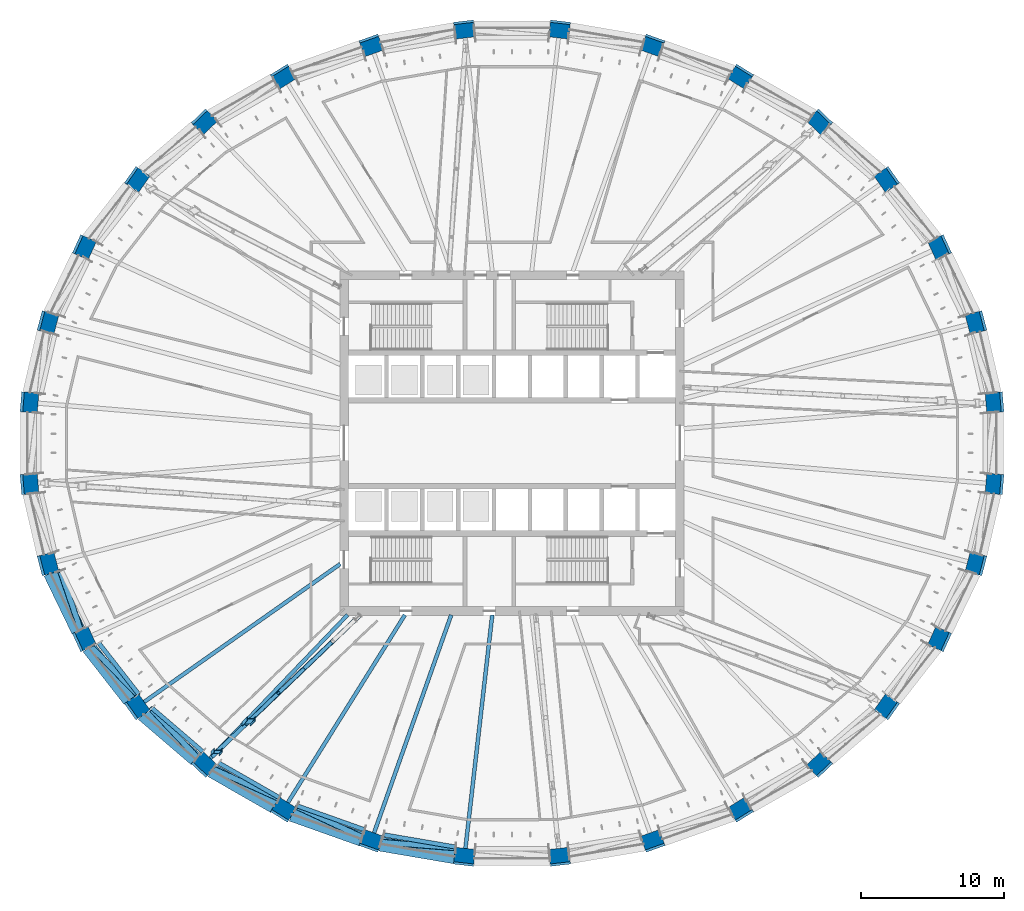
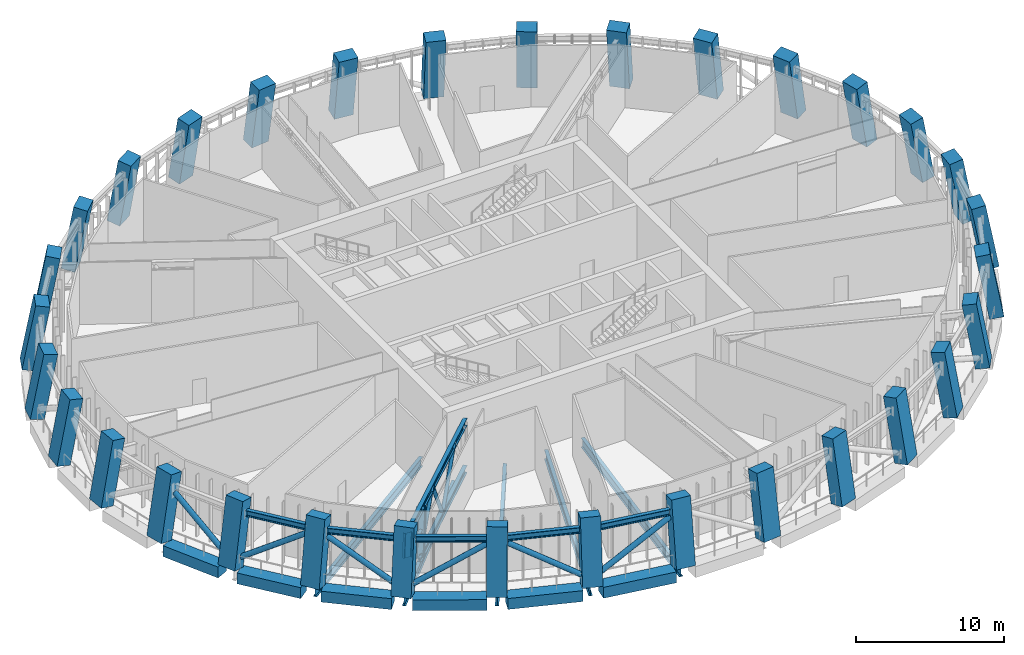
# One storey, part 1 of 21: 32 columns, 19 members, 11 beams.
"""IFC4 building model written with IfcOpenShell, lengths in metres."""

from ifc_helpers import new_model, si_unit, direction, frame, origin, origin_2d, place, context, subcontext, project, spatial, rectangle, hollow_circle, i_section, extrude, material, material_profile, profile_set, type_object, element, save


model = new_model("IFC4")

# Units and contexts
model_context = context("Model", 3, precision=1e-05, world=origin(), true_north=direction((0.0, 1.0)))
body_context = subcontext(model_context, "Body", "Model", "MODEL_VIEW")
ifc_project = project(units=[si_unit("LENGTHUNIT", "METRE"), si_unit("AREAUNIT", "SQUARE_METRE"), si_unit("VOLUMEUNIT", "CUBIC_METRE"), si_unit("PLANEANGLEUNIT", "RADIAN"), si_unit("MASSUNIT", "GRAM", prefix="KILO")], contexts=[model_context])

# Site, building, storey
site_placement = place(None, origin())
site = spatial("IfcSite", under=ifc_project, at=site_placement, CompositionType="ELEMENT")
building_placement = place(site_placement, origin())
building = spatial("IfcBuilding", under=site, at=building_placement, Name="Halqa Exchange Tower", CompositionType="ELEMENT")
storey_placement = place(building_placement, frame((0.0, 0.0, 173.5)))
storey = spatial("IfcBuildingStorey", under=building, at=storey_placement, Name="L39", CompositionType="ELEMENT", Elevation=173.5)

# Columns
ifc_material_1 = material(Name="Concrete C70/85", Category="concrete")
ifc_material_profile_1 = material_profile(ifc_material_1, rectangle(XDim=1.39990234375, YDim=1.0, at=origin_2d()), Name="1400 x 1000")
ifc_profile_set_1 = profile_set([ifc_material_profile_1], Name="Concrete C70/85")
column_type = type_object("IfcColumnType", Name="RC ring column 1400 x 1000 C70/85", PredefinedType="COLUMN", material=ifc_profile_set_1)
for number, where, z_axis, x_axis, name in (
    (1, (33.7412109375, 2.848388671875, 0.090576171875), (-0.181244332226, -0.015272365051, 0.983319503977), (0.083966388579, -0.996468587357, 0.0), "Ring column 1"),
    (2, (32.444580078125, 8.43603515625, 0.08984375), (-0.174343838025, -0.045356998494, 0.983639653954), (0.251777359091, -0.967785183524, 0.0), "Ring column 2"),
):
    element("IfcColumn", number, at=place(storey_placement, frame(where, z_axis=z_axis, x_axis=x_axis)), inside=storey, type_object=column_type, Name=name, PredefinedType="COLUMN", context=body_context, shape_type="SweptSolid", body=[
        extrude(rectangle(XDim=1.39990234375, YDim=1.0, at=origin_2d()), origin(), (0.0, 0.0, 1.0), 5.307373046875),
    ])
for number, where, z_axis, x_axis, name in (
    (3, (29.9013671875, 13.699462890625, 0.088134765625), (-0.160766590911, -0.073644438355, 0.984241128965), (0.416466602522, -0.909151015499, 0.0), "Ring column 3"),
    (4, (26.208984375, 18.4365234375, 0.0859375), (-0.140981154169, -0.099215774729, 0.985028194629), (0.575519842584, -0.817787815262, 0.0), "Ring column 4"),
):
    element("IfcColumn", number, at=place(storey_placement, frame(where, z_axis=z_axis, x_axis=x_axis)), inside=storey, type_object=column_type, Name=name, PredefinedType="COLUMN", context=body_context, shape_type="SweptSolid", body=[
        extrude(rectangle(XDim=1.39990234375, YDim=1.0, at=origin_2d()), origin(), (0.0, 0.0, 1.0), 5.3076171875),
    ])
column_1_placement = place(storey_placement, frame((21.509521484375, 22.465087890625, 0.08349609375), z_axis=(-0.115812481815, -0.12096379157, 0.985877898213), x_axis=(0.722319686129, -0.691559304059, 0.0)))
element("IfcColumn", 5, at=column_1_placement, inside=storey, type_object=column_type, Name="Ring column 5", PredefinedType="COLUMN", context=body_context, shape_type="SweptSolid", body=[
    extrude(rectangle(XDim=1.39990234375, YDim=1.0, at=origin_2d()), origin(), (0.0, 0.0, 1.0), 5.30810546875),
])
column_2_placement = place(storey_placement, frame((15.983154296875, 25.630615234375, 0.0810546875), z_axis=(-0.086138821713, -0.138107251256, 0.98666432516), x_axis=(0.848490015543, -0.529211388316, 0.0)))
element("IfcColumn", 6, at=column_2_placement, inside=storey, type_object=column_type, Name="Ring column 6", PredefinedType="COLUMN", context=body_context, shape_type="SweptSolid", body=[
    extrude(rectangle(XDim=1.39990234375, YDim=1.0, at=origin_2d()), origin(), (0.0, 0.0, 1.0), 5.30859375),
])
column_3_placement = place(storey_placement, frame((9.842529296875, 27.811279296875, 0.0791015625), z_axis=(-0.053064720362, -0.149997502446, 0.987261305184), x_axis=(0.942744642547, -0.333515425352, 0.0)))
element("IfcColumn", 7, at=column_3_placement, inside=storey, type_object=column_type, Name="Ring column 7", PredefinedType="COLUMN", context=body_context, shape_type="SweptSolid", body=[
    extrude(rectangle(XDim=1.39990234375, YDim=1.0, at=origin_2d()), origin(), (0.0, 0.0, 1.0), 5.309326171875),
])
for number, where, z_axis, x_axis, name in (
    (8, (3.323486328125, 28.9228515625, 0.078125), (-0.017932806139, -0.15601541341, 0.98759182117), (0.993458851833, -0.114190672624, 0.0), "Ring column 8"),
    (9, (-3.323486328125, 28.9228515625, 0.078125), (0.017932806139, -0.15601541341, 0.98759182117), (0.993458851833, 0.114190672624, 0.0), "Ring column 9"),
):
    element("IfcColumn", number, at=place(storey_placement, frame(where, z_axis=z_axis, x_axis=x_axis)), inside=storey, type_object=column_type, Name=name, PredefinedType="COLUMN", context=body_context, shape_type="SweptSolid", body=[
        extrude(rectangle(XDim=1.39990234375, YDim=1.0, at=origin_2d()), origin(), (0.0, 0.0, 1.0), 5.3095703125),
    ])
column_4_placement = place(storey_placement, frame((-9.842529296875, 27.811279296875, 0.0791015625), z_axis=(0.053064720362, -0.149997502446, 0.987261305184), x_axis=(0.942744642547, 0.333515425352, 0.0)))
element("IfcColumn", 10, at=column_4_placement, inside=storey, type_object=column_type, Name="Ring column 10", PredefinedType="COLUMN", context=body_context, shape_type="SweptSolid", body=[
    extrude(rectangle(XDim=1.39990234375, YDim=1.0, at=origin_2d()), origin(), (0.0, 0.0, 1.0), 5.309326171875),
])
column_5_placement = place(storey_placement, frame((-15.983154296875, 25.630615234375, 0.0810546875), z_axis=(0.086138821713, -0.138107251256, 0.98666432516), x_axis=(0.848490015543, 0.529211388316, 0.0)))
element("IfcColumn", 11, at=column_5_placement, inside=storey, type_object=column_type, Name="Ring column 11", PredefinedType="COLUMN", context=body_context, shape_type="SweptSolid", body=[
    extrude(rectangle(XDim=1.39990234375, YDim=1.0, at=origin_2d()), origin(), (0.0, 0.0, 1.0), 5.30859375),
])
column_6_placement = place(storey_placement, frame((-21.509521484375, 22.465087890625, 0.08349609375), z_axis=(0.115812481815, -0.12096379157, 0.985877898213), x_axis=(0.722319686129, 0.691559304059, 0.0)))
element("IfcColumn", 12, at=column_6_placement, inside=storey, type_object=column_type, Name="Ring column 12", PredefinedType="COLUMN", context=body_context, shape_type="SweptSolid", body=[
    extrude(rectangle(XDim=1.39990234375, YDim=1.0, at=origin_2d()), origin(), (0.0, 0.0, 1.0), 5.30810546875),
])
for number, where, z_axis, x_axis, name in (
    (13, (-26.208984375, 18.4365234375, 0.0859375), (0.140981154169, -0.099215774729, 0.985028194629), (0.575519842584, 0.817787815262, 0.0), "Ring column 13"),
    (14, (-29.9013671875, 13.699462890625, 0.088134765625), (0.160766590911, -0.073644438355, 0.984241128965), (0.416466602522, 0.909151015499, 0.0), "Ring column 14"),
):
    element("IfcColumn", number, at=place(storey_placement, frame(where, z_axis=z_axis, x_axis=x_axis)), inside=storey, type_object=column_type, Name=name, PredefinedType="COLUMN", context=body_context, shape_type="SweptSolid", body=[
        extrude(rectangle(XDim=1.39990234375, YDim=1.0, at=origin_2d()), origin(), (0.0, 0.0, 1.0), 5.3076171875),
    ])
for number, where, z_axis, x_axis, name in (
    (15, (-32.444580078125, 8.43603515625, 0.08984375), (0.174343838025, -0.045356998494, 0.983639653954), (0.251777359091, 0.967785183524, 0.0), "Ring column 15"),
    (16, (-33.7412109375, 2.848388671875, 0.090576171875), (0.181244332226, -0.015272365051, 0.983319503977), (0.083966388579, 0.996468587357, 0.0), "Ring column 16"),
    (17, (-33.7412109375, -2.848388671875, 0.090576171875), (0.181244332226, 0.015272365051, 0.983319503977), (-0.083966388579, 0.996468587357, 0.0), "Ring column 17"),
    (18, (-32.444580078125, -8.43603515625, 0.08984375), (0.174343838025, 0.045356998494, 0.983639653954), (-0.251777359091, 0.967785183524, 0.0), "Ring column 18"),
):
    element("IfcColumn", number, at=place(storey_placement, frame(where, z_axis=z_axis, x_axis=x_axis)), inside=storey, type_object=column_type, Name=name, PredefinedType="COLUMN", context=body_context, shape_type="SweptSolid", body=[
        extrude(rectangle(XDim=1.39990234375, YDim=1.0, at=origin_2d()), origin(), (0.0, 0.0, 1.0), 5.307373046875),
    ])
for number, where, z_axis, x_axis, name in (
    (19, (-29.9013671875, -13.699462890625, 0.088134765625), (0.160766590911, 0.073644438355, 0.984241128965), (-0.416466602522, 0.909151015499, 0.0), "Ring column 19"),
    (20, (-26.208984375, -18.4365234375, 0.0859375), (0.140981154169, 0.099215774729, 0.985028194629), (-0.575519842584, 0.817787815262, 0.0), "Ring column 20"),
):
    element("IfcColumn", number, at=place(storey_placement, frame(where, z_axis=z_axis, x_axis=x_axis)), inside=storey, type_object=column_type, Name=name, PredefinedType="COLUMN", context=body_context, shape_type="SweptSolid", body=[
        extrude(rectangle(XDim=1.39990234375, YDim=1.0, at=origin_2d()), origin(), (0.0, 0.0, 1.0), 5.3076171875),
    ])
column_7_placement = place(storey_placement, frame((-21.509521484375, -22.465087890625, 0.08349609375), z_axis=(0.115812481815, 0.12096379157, 0.985877898213), x_axis=(-0.722319686129, 0.691559304059, 0.0)))
element("IfcColumn", 21, at=column_7_placement, inside=storey, type_object=column_type, Name="Ring column 21", PredefinedType="COLUMN", context=body_context, shape_type="SweptSolid", body=[
    extrude(rectangle(XDim=1.39990234375, YDim=1.0, at=origin_2d()), origin(), (0.0, 0.0, 1.0), 5.30810546875),
])
column_8_placement = place(storey_placement, frame((-15.983154296875, -25.630615234375, 0.0810546875), z_axis=(0.086138821713, 0.138107251256, 0.98666432516), x_axis=(-0.848490015543, 0.529211388316, 0.0)))
element("IfcColumn", 22, at=column_8_placement, inside=storey, type_object=column_type, Name="Ring column 22", PredefinedType="COLUMN", context=body_context, shape_type="SweptSolid", body=[
    extrude(rectangle(XDim=1.39990234375, YDim=1.0, at=origin_2d()), origin(), (0.0, 0.0, 1.0), 5.30859375),
])
column_9_placement = place(storey_placement, frame((-9.842529296875, -27.811279296875, 0.0791015625), z_axis=(0.053064720362, 0.149997502446, 0.987261305184), x_axis=(-0.942744642547, 0.333515425352, 0.0)))
element("IfcColumn", 23, at=column_9_placement, inside=storey, type_object=column_type, Name="Ring column 23", PredefinedType="COLUMN", context=body_context, shape_type="SweptSolid", body=[
    extrude(rectangle(XDim=1.39990234375, YDim=1.0, at=origin_2d()), origin(), (0.0, 0.0, 1.0), 5.309326171875),
])
for number, where, z_axis, x_axis, name in (
    (24, (-3.323486328125, -28.9228515625, 0.078125), (0.017932806139, 0.15601541341, 0.98759182117), (-0.993458851833, 0.114190672624, 0.0), "Ring column 24"),
    (25, (3.323486328125, -28.9228515625, 0.078125), (-0.017932806139, 0.15601541341, 0.98759182117), (-0.993458851833, -0.114190672624, 0.0), "Ring column 25"),
):
    element("IfcColumn", number, at=place(storey_placement, frame(where, z_axis=z_axis, x_axis=x_axis)), inside=storey, type_object=column_type, Name=name, PredefinedType="COLUMN", context=body_context, shape_type="SweptSolid", body=[
        extrude(rectangle(XDim=1.39990234375, YDim=1.0, at=origin_2d()), origin(), (0.0, 0.0, 1.0), 5.3095703125),
    ])
column_10_placement = place(storey_placement, frame((9.842529296875, -27.811279296875, 0.0791015625), z_axis=(-0.053064720362, 0.149997502446, 0.987261305184), x_axis=(-0.942744642547, -0.333515425352, 0.0)))
element("IfcColumn", 26, at=column_10_placement, inside=storey, type_object=column_type, Name="Ring column 26", PredefinedType="COLUMN", context=body_context, shape_type="SweptSolid", body=[
    extrude(rectangle(XDim=1.39990234375, YDim=1.0, at=origin_2d()), origin(), (0.0, 0.0, 1.0), 5.309326171875),
])
column_11_placement = place(storey_placement, frame((15.983154296875, -25.630615234375, 0.0810546875), z_axis=(-0.086138821713, 0.138107251256, 0.98666432516), x_axis=(-0.848490015543, -0.529211388316, 0.0)))
element("IfcColumn", 27, at=column_11_placement, inside=storey, type_object=column_type, Name="Ring column 27", PredefinedType="COLUMN", context=body_context, shape_type="SweptSolid", body=[
    extrude(rectangle(XDim=1.39990234375, YDim=1.0, at=origin_2d()), origin(), (0.0, 0.0, 1.0), 5.30859375),
])
column_12_placement = place(storey_placement, frame((21.509521484375, -22.465087890625, 0.08349609375), z_axis=(-0.115812481815, 0.12096379157, 0.985877898213), x_axis=(-0.722319686129, -0.691559304059, 0.0)))
element("IfcColumn", 28, at=column_12_placement, inside=storey, type_object=column_type, Name="Ring column 28", PredefinedType="COLUMN", context=body_context, shape_type="SweptSolid", body=[
    extrude(rectangle(XDim=1.39990234375, YDim=1.0, at=origin_2d()), origin(), (0.0, 0.0, 1.0), 5.30810546875),
])
for number, where, z_axis, x_axis, name in (
    (29, (26.208984375, -18.4365234375, 0.0859375), (-0.140981154169, 0.099215774729, 0.985028194629), (-0.575519842584, -0.817787815262, 0.0), "Ring column 29"),
    (30, (29.9013671875, -13.699462890625, 0.088134765625), (-0.160766590911, 0.073644438355, 0.984241128965), (-0.416466602522, -0.909151015499, 0.0), "Ring column 30"),
):
    element("IfcColumn", number, at=place(storey_placement, frame(where, z_axis=z_axis, x_axis=x_axis)), inside=storey, type_object=column_type, Name=name, PredefinedType="COLUMN", context=body_context, shape_type="SweptSolid", body=[
        extrude(rectangle(XDim=1.39990234375, YDim=1.0, at=origin_2d()), origin(), (0.0, 0.0, 1.0), 5.3076171875),
    ])
for number, where, z_axis, x_axis, name in (
    (31, (32.444580078125, -8.43603515625, 0.08984375), (-0.174343838025, 0.045356998494, 0.983639653954), (-0.251777359091, -0.967785183524, 0.0), "Ring column 31"),
    (32, (33.7412109375, -2.848388671875, 0.090576171875), (-0.181244332226, 0.015272365051, 0.983319503977), (-0.083966388579, -0.996468587357, 0.0), "Ring column 32"),
):
    element("IfcColumn", number, at=place(storey_placement, frame(where, z_axis=z_axis, x_axis=x_axis)), inside=storey, type_object=column_type, Name=name, PredefinedType="COLUMN", context=body_context, shape_type="SweptSolid", body=[
        extrude(rectangle(XDim=1.39990234375, YDim=1.0, at=origin_2d()), origin(), (0.0, 0.0, 1.0), 5.307373046875),
    ])

# Members
ifc_material_2 = material(Name="Steel S355", Category="steel")
ifc_material_profile_2 = material_profile(ifc_material_2, i_section(OverallWidth=0.300048828125, OverallDepth=0.5, WebThickness=0.014404296875, FlangeThickness=0.028076171875, FilletRadius=0.027099609375, at=origin_2d()), Name="HEB 500")
ifc_profile_set_2 = profile_set([ifc_material_profile_2], Name="Steel S355")
member_type_1 = type_object("IfcMemberType", Name="Belt truss chord HEB 500", PredefinedType="CHORD", material=ifc_profile_set_2)
member_1_placement = place(storey_placement, frame((-28.806396484375, -13.92041015625, 4.25), z_axis=(0.61479322814, -0.788688333014, 0.0), x_axis=(0.788688333014, 0.61479322814, 0.0)))
element("IfcMember", 33, at=member_1_placement, inside=storey, type_object=member_type_1, Name="Belt chord 19", PredefinedType="CHORD", context=body_context, shape_type="SweptSolid", body=[
    extrude(i_section(OverallWidth=0.300048828125, OverallDepth=0.5, WebThickness=0.014404296875, FlangeThickness=0.028076171875, FilletRadius=0.027099609375, at=origin_2d()), origin(), (0.0, 0.0, 1.0), 4.517822265625),
])
member_2_placement = place(storey_placement, frame((-25.099853515625, -18.45703125, 4.25), z_axis=(0.759249266191, -0.650799932228, 0.0), x_axis=(0.650799932228, 0.759249266191, 0.0)))
element("IfcMember", 34, at=member_2_placement, inside=storey, type_object=member_type_1, Name="Belt chord 20", PredefinedType="CHORD", context=body_context, shape_type="SweptSolid", body=[
    extrude(i_section(OverallWidth=0.300048828125, OverallDepth=0.5, WebThickness=0.014404296875, FlangeThickness=0.028076171875, FilletRadius=0.027099609375, at=origin_2d()), origin(), (0.0, 0.0, 1.0), 4.6982421875),
])
member_3_placement = place(storey_placement, frame((-20.4345703125, -22.289306640625, 4.25), z_axis=(0.867761979949, -0.496980025912, 0.0), x_axis=(0.496980025912, 0.867761979949, 0.0)))
element("IfcMember", 35, at=member_3_placement, inside=storey, type_object=member_type_1, Name="Belt chord 21", PredefinedType="CHORD", context=body_context, shape_type="SweptSolid", body=[
    extrude(i_section(OverallWidth=0.300048828125, OverallDepth=0.5, WebThickness=0.014404296875, FlangeThickness=0.028076171875, FilletRadius=0.027099609375, at=origin_2d()), origin(), (0.0, 0.0, 1.0), 4.875244140625),
])
member_4_placement = place(storey_placement, frame((-14.982666015625, -25.273193359375, 4.25), z_axis=(0.942378759051, -0.334547865769, 0.0), x_axis=(0.334547865769, 0.942378759051, 0.0)))
element("IfcMember", 36, at=member_4_placement, inside=storey, type_object=member_type_1, Name="Belt chord 22", PredefinedType="CHORD", context=body_context, shape_type="SweptSolid", body=[
    extrude(i_section(OverallWidth=0.300048828125, OverallDepth=0.5, WebThickness=0.014404296875, FlangeThickness=0.028076171875, FilletRadius=0.027099609375, at=origin_2d()), origin(), (0.0, 0.0, 1.0), 5.01708984375),
])
member_5_placement = place(storey_placement, frame((-8.952880859375, -27.291015625, 4.25), z_axis=(0.985772726473, -0.168083704572, 0.0), x_axis=(0.168083704572, 0.985772726473, 0.0)))
element("IfcMember", 37, at=member_5_placement, inside=storey, type_object=member_type_1, Name="Belt chord 23", PredefinedType="CHORD", context=body_context, shape_type="SweptSolid", body=[
    extrude(i_section(OverallWidth=0.300048828125, OverallDepth=0.5, WebThickness=0.014404296875, FlangeThickness=0.028076171875, FilletRadius=0.027099609375, at=origin_2d()), origin(), (0.0, 0.0, 1.0), 5.11279296875),
])
ifc_material_profile_3 = material_profile(ifc_material_2, hollow_circle(Radius=0.203125, WallThickness=0.02490234375, at=origin_2d()), Name="CHS 406.4x25")
ifc_profile_set_3 = profile_set([ifc_material_profile_3], Name="Steel S355")
member_type_2 = type_object("IfcMemberType", Name="Belt truss diagonal CHS 406.4x25", PredefinedType="BRACE", material=ifc_profile_set_3)
member_6_placement = place(storey_placement, frame((-31.488037109375, -8.87890625, 3.811279296875), z_axis=(0.273233890148, -0.79126704312, -0.547028068519), x_axis=(0.945231823702, 0.326399754075, 0.0)))
element("IfcMember", 38, at=member_6_placement, inside=storey, type_object=member_type_2, Name="Belt diagonal 18", PredefinedType="BRACE", context=body_context, shape_type="SweptSolid", body=[
    extrude(hollow_circle(Radius=0.203125, WallThickness=0.02490234375, at=origin_2d()), origin(), (0.0, 0.0, 1.0), 5.22900390625),
])
member_7_placement = place(storey_placement, frame((-29.355224609375, -14.161865234375, 0.92529296875), z_axis=(0.592278904126, -0.610162521226, 0.526219913552), x_axis=(0.717544051753, 0.696513125356, 0.0)))
element("IfcMember", 39, at=member_7_placement, inside=storey, type_object=member_type_2, Name="Belt diagonal 19", PredefinedType="BRACE", context=body_context, shape_type="SweptSolid", body=[
    extrude(hollow_circle(Radius=0.203125, WallThickness=0.02490234375, at=origin_2d()), origin(), (0.0, 0.0, 1.0), 5.52880859375),
])
member_8_placement = place(storey_placement, frame((-25.152099609375, -18.505126953125, 3.833740234375), z_axis=(0.583532491297, -0.617896955882, -0.526966017417), x_axis=(0.727034799672, 0.686600611758, 0.0)))
element("IfcMember", 40, at=member_8_placement, inside=storey, type_object=member_type_2, Name="Belt diagonal 20", PredefinedType="BRACE", context=body_context, shape_type="SweptSolid", body=[
    extrude(hollow_circle(Radius=0.203125, WallThickness=0.02490234375, at=origin_2d()), origin(), (0.0, 0.0, 1.0), 5.520263671875),
])
member_9_placement = place(storey_placement, frame((-20.8359375, -22.695556640625, 0.90087890625), z_axis=(0.78679811285, -0.354666112903, 0.505134316765), x_axis=(0.410949443891, 0.911658134701, 0.0)))
element("IfcMember", 41, at=member_9_placement, inside=storey, type_object=member_type_2, Name="Belt diagonal 21", PredefinedType="BRACE", context=body_context, shape_type="SweptSolid", body=[
    extrude(hollow_circle(Radius=0.203125, WallThickness=0.02490234375, at=origin_2d()), origin(), (0.0, 0.0, 1.0), 5.8525390625),
])
member_10_placement = place(storey_placement, frame((-15.010986328125, -25.330322265625, 3.856689453125), z_axis=(0.782080762977, -0.36412751632, -0.505728021806), x_axis=(0.422082394496, 0.906557473223, 0.0)))
element("IfcMember", 42, at=member_10_placement, inside=storey, type_object=member_type_2, Name="Belt diagonal 22", PredefinedType="BRACE", context=body_context, shape_type="SweptSolid", body=[
    extrude(hollow_circle(Radius=0.203125, WallThickness=0.02490234375, at=origin_2d()), origin(), (0.0, 0.0, 1.0), 5.8466796875),
])
member_11_placement = place(storey_placement, frame((-9.139404296875, -27.80078125, 0.88818359375), z_axis=(0.866524460087, -0.068092166109, 0.494468216356), x_axis=(0.078339279972, 0.996926756193, 0.0)))
element("IfcMember", 43, at=member_11_placement, inside=storey, type_object=member_type_2, Name="Belt diagonal 23", PredefinedType="BRACE", context=body_context, shape_type="SweptSolid", body=[
    extrude(hollow_circle(Radius=0.203125, WallThickness=0.02490234375, at=origin_2d()), origin(), (0.0, 0.0, 1.0), 6.027099609375),
])

# Beams
ifc_material_profile_4 = material_profile(ifc_material_2, i_section(OverallWidth=0.264892578125, OverallDepth=0.7529296875, WebThickness=0.01318359375, FlangeThickness=0.01708984375, FilletRadius=0.01708984375, at=origin_2d()), Name="IPE 750x147")
ifc_profile_set_4 = profile_set([ifc_material_profile_4], Name="Steel S355")
beam_type_1 = type_object("IfcBeamType", Name="Floor beam IPE 750x147", PredefinedType="BEAM", material=ifc_profile_set_4)
beam_1_placement = place(storey_placement, frame((-11.462890625, -11.97216796875, -0.7265625), z_axis=(-0.691574751558, -0.722304896153, 0.0), x_axis=(0.722304896153, -0.691574751558, 0.0)))
element("IfcBeam", 44, at=beam_1_placement, inside=storey, type_object=beam_type_1, Name="Radial beam 21", PredefinedType="BEAM", context=body_context, shape_type="SweptSolid", body=[
    extrude(i_section(OverallWidth=0.264892578125, OverallDepth=0.7529296875, WebThickness=0.01318359375, FlangeThickness=0.01708984375, FilletRadius=0.01708984375, at=origin_2d()), origin(), (0.0, 0.0, 1.0), 14.165283203125),
])
ifc_material_profile_5 = material_profile(ifc_material_2, i_section(OverallWidth=0.26806640625, OverallDepth=0.77001953125, WebThickness=0.015625, FlangeThickness=0.025390625, FilletRadius=0.01708984375, at=origin_2d()), Name="IPE 750x196")
ifc_profile_set_5 = profile_set([ifc_material_profile_5], Name="Steel S355")
beam_type_2 = type_object("IfcBeamType", Name="Floor beam IPE 750x196", PredefinedType="BEAM", material=ifc_profile_set_5)
beam_2_placement = place(storey_placement, frame((-11.971435546875, -8.421142578125, -0.735107421875), z_axis=(-0.817908264437, -0.575348651659, 0.0), x_axis=(0.575348651659, -0.817908264437, 0.0)))
element("IfcBeam", 45, at=beam_2_placement, inside=storey, type_object=beam_type_2, Name="Radial beam 20", PredefinedType="BEAM", context=body_context, shape_type="SweptSolid", body=[
    extrude(i_section(OverallWidth=0.26806640625, OverallDepth=0.77001953125, WebThickness=0.015625, FlangeThickness=0.025390625, FilletRadius=0.01708984375, at=origin_2d()), origin(), (0.0, 0.0, 1.0), 17.04638671875),
])
beam_3_placement = place(storey_placement, frame((-7.46533203125, -11.971435546875, -0.735107421875), z_axis=(-0.529139539114, -0.848534824357, 0.0), x_axis=(0.848534824357, -0.529139539114, 0.0)))
element("IfcBeam", 46, at=beam_3_placement, inside=storey, type_object=beam_type_2, Name="Radial beam 22", PredefinedType="BEAM", context=body_context, shape_type="SweptSolid", body=[
    extrude(i_section(OverallWidth=0.26806640625, OverallDepth=0.77001953125, WebThickness=0.015625, FlangeThickness=0.025390625, FilletRadius=0.01708984375, at=origin_2d()), origin(), (0.0, 0.0, 1.0), 15.73486328125),
])
beam_4_placement = place(storey_placement, frame((-4.237060546875, -11.972412109375, -0.735107421875), z_axis=(-0.333624740658, -0.942705962865, 0.0), x_axis=(0.942705962865, -0.333624740658, 0.0)))
element("IfcBeam", 47, at=beam_4_placement, inside=storey, type_object=beam_type_2, Name="Radial beam 23", PredefinedType="BEAM", context=body_context, shape_type="SweptSolid", body=[
    extrude(i_section(OverallWidth=0.26806640625, OverallDepth=0.77001953125, WebThickness=0.015625, FlangeThickness=0.025390625, FilletRadius=0.01708984375, at=origin_2d()), origin(), (0.0, 0.0, 1.0), 16.440185546875),
])
beam_5_placement = place(storey_placement, frame((-1.37548828125, -11.97119140625, -0.735107421875), z_axis=(-0.114150878314, -0.993463425084, 0.0), x_axis=(0.993463425084, -0.114150878314, 0.0)))
element("IfcBeam", 48, at=beam_5_placement, inside=storey, type_object=beam_type_2, Name="Radial beam 24", PredefinedType="BEAM", context=body_context, shape_type="SweptSolid", body=[
    extrude(i_section(OverallWidth=0.26806640625, OverallDepth=0.77001953125, WebThickness=0.015625, FlangeThickness=0.025390625, FilletRadius=0.01708984375, at=origin_2d()), origin(), (0.0, 0.0, 1.0), 16.70361328125),
])

# Members
ifc_material_profile_6 = material_profile(ifc_material_2, i_section(OverallWidth=0.300048828125, OverallDepth=0.60009765625, WebThickness=0.015380859375, FlangeThickness=0.030029296875, FilletRadius=0.027099609375, at=origin_2d()), Name="HEB 600")
ifc_profile_set_6 = profile_set([ifc_material_profile_6], Name="Steel S355")
member_type_3 = type_object("IfcMemberType", Name="Outrigger chord HEB 600", PredefinedType="CHORD", material=ifc_profile_set_6)
member_12_placement = place(storey_placement, frame((-10.58056640625, -11.9814453125, 0.300048828125), z_axis=(-0.722693891465, -0.691168242354, 0.0), x_axis=(0.691168242354, -0.722693891465, 0.0)))
element("IfcMember", 49, at=member_12_placement, inside=storey, type_object=member_type_3, Name="Outrigger 6 chord", PredefinedType="CHORD", context=body_context, shape_type="SweptSolid", body=[
    extrude(i_section(OverallWidth=0.300048828125, OverallDepth=0.60009765625, WebThickness=0.015380859375, FlangeThickness=0.030029296875, FilletRadius=0.027099609375, at=origin_2d()), origin(), (0.0, 0.0, 1.0), 11.00439453125),
])
member_13_placement = place(storey_placement, frame((-10.58056640625, -11.9814453125, 4.199951171875), z_axis=(-0.724132942383, -0.68966041046, 0.0), x_axis=(0.68966041046, -0.724132942383, 0.0)))
element("IfcMember", 50, at=member_13_placement, inside=storey, type_object=member_type_3, Name="Outrigger 6 chord", PredefinedType="CHORD", context=body_context, shape_type="SweptSolid", body=[
    extrude(i_section(OverallWidth=0.300048828125, OverallDepth=0.60009765625, WebThickness=0.015380859375, FlangeThickness=0.030029296875, FilletRadius=0.027099609375, at=origin_2d()), origin(), (0.0, 0.0, 1.0), 13.966064453125),
])
ifc_material_profile_7 = material_profile(ifc_material_2, hollow_circle(Radius=0.136474609375, WallThickness=0.01611328125, at=origin_2d()), Name="CHS 273x16")
ifc_profile_set_7 = profile_set([ifc_material_profile_7], Name="Steel S355")
member_type_4 = type_object("IfcMemberType", Name="Outrigger diagonal CHS 273x16", PredefinedType="BRACE", material=ifc_profile_set_7)
member_14_placement = place(storey_placement, frame((-12.49267578125, -13.802490234375, 4.199951171875), z_axis=(-0.42673857554, -0.409729598608, -0.806235600907), x_axis=(0.692585103619, -0.721336172838, 0.0)))
element("IfcMember", 51, at=member_14_placement, inside=storey, type_object=member_type_4, Name="Outrigger 6 diagonal", PredefinedType="BRACE", context=body_context, shape_type="SweptSolid", body=[
    extrude(hollow_circle(Radius=0.136474609375, WallThickness=0.01611328125, at=origin_2d()), origin(), (0.0, 0.0, 1.0), 4.837158203125),
])
member_15_placement = place(storey_placement, frame((-14.556884765625, -15.784423828125, 0.300048828125), z_axis=(-0.377295681997, -0.355832273218, 0.855003720274), x_axis=(0.68611120662, -0.72749667501, 0.0)))
element("IfcMember", 52, at=member_15_placement, inside=storey, type_object=member_type_4, Name="Outrigger 6 diagonal", PredefinedType="BRACE", context=body_context, shape_type="SweptSolid", body=[
    extrude(hollow_circle(Radius=0.136474609375, WallThickness=0.01611328125, at=origin_2d()), origin(), (0.0, 0.0, 1.0), 4.561279296875),
])
member_16_placement = place(storey_placement, frame((-16.27783203125, -17.407470703125, 4.199951171875), z_axis=(-0.448286247129, -0.433309110802, -0.781845672196), x_axis=(0.69499368886, -0.719015836018, 0.0)))
element("IfcMember", 53, at=member_16_placement, inside=storey, type_object=member_type_4, Name="Outrigger 6 diagonal", PredefinedType="BRACE", context=body_context, shape_type="SweptSolid", body=[
    extrude(hollow_circle(Radius=0.136474609375, WallThickness=0.01611328125, at=origin_2d()), origin(), (0.0, 0.0, 1.0), 4.988037109375),
])
ifc_material_profile_8 = material_profile(ifc_material_2, i_section(OverallWidth=0.300048828125, OverallDepth=0.300048828125, WebThickness=0.010986328125, FlangeThickness=0.01904296875, FilletRadius=0.027099609375, at=origin_2d()), Name="HEB 300")
ifc_profile_set_8 = profile_set([ifc_material_profile_8], Name="Steel S355")
member_type_5 = type_object("IfcMemberType", Name="Outrigger opening chord HEB 300", PredefinedType="CHORD", material=ifc_profile_set_8)
member_17_placement = place(storey_placement, frame((-18.33349609375, -19.380126953125, 2.35009765625), z_axis=(-0.723392875096, -0.690436635949, 0.0), x_axis=(0.690436635949, -0.723392875096, 0.0)))
element("IfcMember", 54, at=member_17_placement, inside=storey, type_object=member_type_5, Name="Outrigger 6 opening chord", PredefinedType="CHORD", context=body_context, shape_type="SweptSolid", body=[
    extrude(i_section(OverallWidth=0.300048828125, OverallDepth=0.300048828125, WebThickness=0.010986328125, FlangeThickness=0.01904296875, FilletRadius=0.027099609375, at=origin_2d()), origin(), (0.0, 0.0, 1.0), 3.563232421875),
])
ifc_material_profile_9 = material_profile(ifc_material_2, i_section(OverallWidth=0.300048828125, OverallDepth=0.60009765625, WebThickness=0.015380859375, FlangeThickness=0.030029296875, FilletRadius=0.027099609375, at=origin_2d()), Name="HEB 600")
ifc_profile_set_9 = profile_set([ifc_material_profile_9], Name="Steel S355")
member_type_6 = type_object("IfcMemberType", Name="Outrigger post HEB 600", PredefinedType="POST", material=ifc_profile_set_9)
member_18_placement = place(storey_placement, frame((-18.513916015625, -19.56884765625, 0.300048828125), z_axis=(0.087374582552, 0.091286877293, 0.991984066585), x_axis=(-0.003699021464, 0.995815312955, -0.091313633833)))
element("IfcMember", 55, at=member_18_placement, inside=storey, type_object=member_type_6, Name="Outrigger 6 post", PredefinedType="POST", context=body_context, shape_type="SweptSolid", body=[
    extrude(i_section(OverallWidth=0.300048828125, OverallDepth=0.60009765625, WebThickness=0.015380859375, FlangeThickness=0.030029296875, FilletRadius=0.027099609375, at=origin_2d()), origin(), (0.0, 0.0, 1.0), 3.931396484375),
])
member_19_placement = place(storey_placement, frame((-20.695068359375, -21.633544921875, 2.35009765625), z_axis=(0.115803308876, 0.120877835894, 0.985889518376), x_axis=(-0.006290390687, 0.992636693296, -0.120966218868)))
element("IfcMember", 56, at=member_19_placement, inside=storey, type_object=member_type_6, Name="Outrigger 6 post", PredefinedType="POST", context=body_context, shape_type="SweptSolid", body=[
    extrude(i_section(OverallWidth=0.300048828125, OverallDepth=0.60009765625, WebThickness=0.015380859375, FlangeThickness=0.030029296875, FilletRadius=0.027099609375, at=origin_2d()), origin(), (0.0, 0.0, 1.0), 1.876220703125),
])

# Beams
ifc_material_3 = material(Name="Concrete C60/75", Category="concrete")
ifc_material_profile_10 = material_profile(ifc_material_3, rectangle(XDim=1.0, YDim=0.89990234375, at=origin_2d()), Name="1000 x 900")
ifc_profile_set_10 = profile_set([ifc_material_profile_10], Name="Concrete C60/75")
beam_type_3 = type_object("IfcBeamType", Name="RC spandrel beam 1000 x 900 C60/75", PredefinedType="SPANDREL", material=ifc_profile_set_10)
beam_6_placement = place(storey_placement, frame((-32.166259765625, -9.048828125, -0.449951171875), z_axis=(0.435099717308, -0.900382272148, 0.0), x_axis=(0.900382272148, 0.435099717308, 0.0)))
element("IfcBeam", 57, at=beam_6_placement, inside=storey, type_object=beam_type_3, Name="Spandrel 18", PredefinedType="SPANDREL", context=body_context, shape_type="SweptSolid", body=[
    extrude(rectangle(XDim=1.0, YDim=0.89990234375, at=origin_2d()), origin(), (0.0, 0.0, 1.0), 4.497314453125),
])
beam_7_placement = place(storey_placement, frame((-29.500244140625, -14.239013671875, -0.449951171875), z_axis=(0.614796515977, -0.78868577009, 0.0), x_axis=(0.78868577009, 0.614796515977, 0.0)))
element("IfcBeam", 58, at=beam_7_placement, inside=storey, type_object=beam_type_3, Name="Spandrel 19", PredefinedType="SPANDREL", context=body_context, shape_type="SweptSolid", body=[
    extrude(rectangle(XDim=1.0, YDim=0.89990234375, at=origin_2d()), origin(), (0.0, 0.0, 1.0), 4.658447265625),
])
beam_8_placement = place(storey_placement, frame((-25.70849609375, -18.884521484375, -0.449951171875), z_axis=(0.759260160399, -0.650787222394, 0.0), x_axis=(0.650787222394, 0.759260160399, 0.0)))
element("IfcBeam", 59, at=beam_8_placement, inside=storey, type_object=beam_type_3, Name="Spandrel 20", PredefinedType="SPANDREL", context=body_context, shape_type="SweptSolid", body=[
    extrude(rectangle(XDim=1.0, YDim=0.89990234375, at=origin_2d()), origin(), (0.0, 0.0, 1.0), 4.843505859375),
])
beam_9_placement = place(storey_placement, frame((-20.93359375, -22.810791015625, -0.449951171875), z_axis=(0.867743165303, -0.497012876161, 0.0), x_axis=(0.497012876161, 0.867743165303, 0.0)))
element("IfcBeam", 60, at=beam_9_placement, inside=storey, type_object=beam_type_3, Name="Spandrel 21", PredefinedType="SPANDREL", context=body_context, shape_type="SweptSolid", body=[
    extrude(rectangle(XDim=1.0, YDim=0.89990234375, at=origin_2d()), origin(), (0.0, 0.0, 1.0), 5.022705078125),
])
beam_10_placement = place(storey_placement, frame((-15.354248046875, -25.867919921875, -0.449951171875), z_axis=(0.942370602203, -0.334570841682, 0.0), x_axis=(0.334570841682, 0.942370602203, 0.0)))
element("IfcBeam", 61, at=beam_10_placement, inside=storey, type_object=beam_type_3, Name="Spandrel 22", PredefinedType="SPANDREL", context=body_context, shape_type="SweptSolid", body=[
    extrude(rectangle(XDim=1.0, YDim=0.89990234375, at=origin_2d()), origin(), (0.0, 0.0, 1.0), 5.169921875),
])
beam_11_placement = place(storey_placement, frame((-9.1826171875, -27.936279296875, -0.449951171875), z_axis=(0.985766792744, -0.168118500836, 0.0), x_axis=(0.168118500836, 0.985766792744, 0.0)))
element("IfcBeam", 62, at=beam_11_placement, inside=storey, type_object=beam_type_3, Name="Spandrel 23", PredefinedType="SPANDREL", context=body_context, shape_type="SweptSolid", body=[
    extrude(rectangle(XDim=1.0, YDim=0.89990234375, at=origin_2d()), origin(), (0.0, 0.0, 1.0), 5.26708984375),
])

save(model, "model.ifc")
